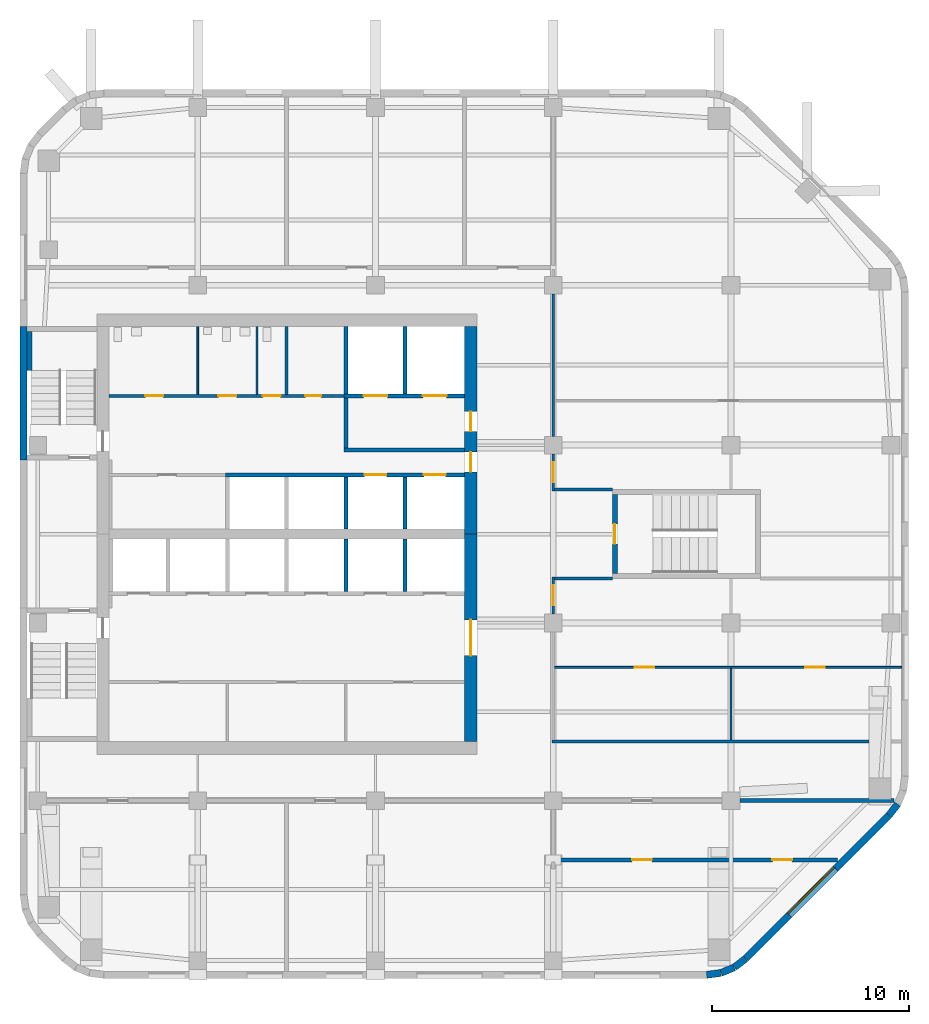
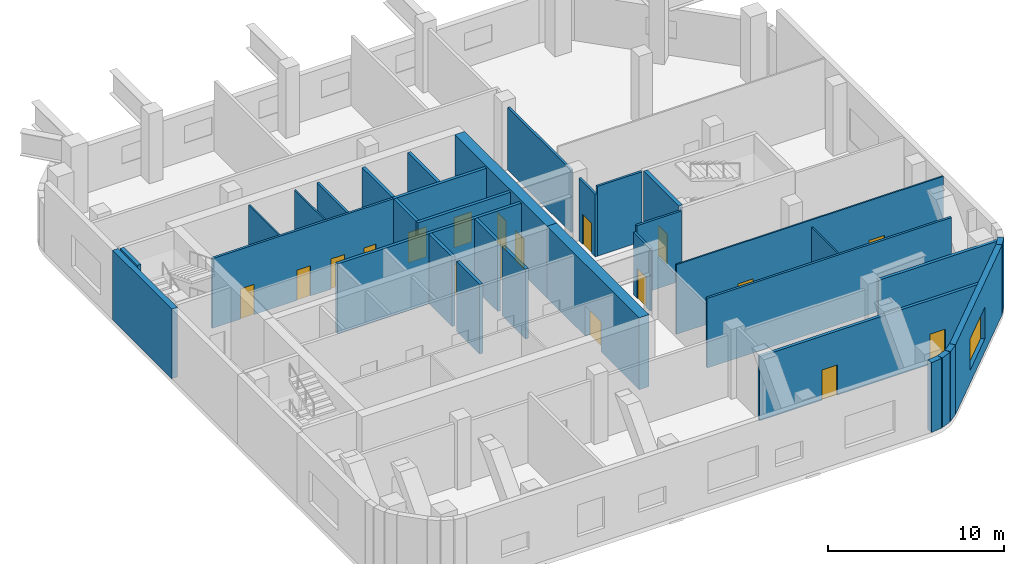
# One storey, part 4 of 8: 34 walls, 18 doors, 1 window, 19 openings.
"""IFC4 building model written with IfcOpenShell, lengths in metres."""

from ifc_helpers import new_model, si_unit, direction, frame, frame_2d, origin, place, context, subcontext, project, spatial, rectangle, extrude, material, layer, layer_set, type_object, element, fill, save


model = new_model("IFC4")

# Units and contexts
model_context = context("Model", 3, precision=1e-05, world=origin(), true_north=direction((0.0, 1.0)))
body_context = subcontext(model_context, "Body", "Model", "MODEL_VIEW")
ifc_project = project(units=[si_unit("LENGTHUNIT", "METRE"), si_unit("AREAUNIT", "SQUARE_METRE"), si_unit("VOLUMEUNIT", "CUBIC_METRE"), si_unit("PLANEANGLEUNIT", "RADIAN"), si_unit("MASSUNIT", "GRAM", prefix="KILO")], contexts=[model_context])

# Site, building, storey
site_placement = place(None, origin())
site = spatial("IfcSite", under=ifc_project, at=site_placement, CompositionType="ELEMENT")
building_placement = place(site_placement, origin())
building = spatial("IfcBuilding", under=site, at=building_placement, Name="Cinnabar Reach Civic Tower", CompositionType="ELEMENT")
storey_placement = place(building_placement, frame((0.0, 0.0, 193.0)))
storey = spatial("IfcBuildingStorey", under=building, at=storey_placement, Name="L46", CompositionType="ELEMENT", Elevation=193.0)

# Walls
ifc_material_1 = material(Name="Facing brick with insulated backing", Category="masonry")
ifc_layer_1 = layer(ifc_material_1, 0.36)
ifc_layer_set_1 = layer_set([ifc_layer_1], Name="Brick corner wall")
wall_type_1 = type_object("IfcWallType", Name="Brick corner wall", PredefinedType="STANDARD", material=ifc_layer_set_1)
for number, where, z_axis, x_axis, name in (
    (1, (34.7686, 9.183, 0.0), (0.0, 0.0, 1.0), (0.99144092581, 0.13055608231, 0.0), "Brick corner wall"),
    (2, (35.4973, 9.2819, 0.0), (0.0, 0.0, 1.0), (0.923871547278, 0.382702709855, 0.0), "Brick corner wall"),
):
    element("IfcWall", number, at=place(storey_placement, frame(where, z_axis=z_axis, x_axis=x_axis)), inside=storey, type_object=wall_type_1, Name=name, PredefinedType="STANDARD", context=body_context, shape_type="SweptSolid", body=[
        extrude(rectangle(XDim=0.7131, YDim=0.36, at=frame_2d((0.3565, 0.0))), origin(), (0.0, 0.0, 1.0), 4.85),
    ])
for number, where, z_axis, x_axis, name in (
    (3, (36.1755, 9.566, 0.0), (0.0, 0.0, 1.0), (0.793321924995, 0.608802368033, 0.0), "Brick corner wall"),
    (4, (43.9998, 17.2587, 0.0), (0.0, 0.0, 1.0), (0.608802368033, 0.793321924995, 0.0), "Brick corner wall"),
):
    element("IfcWall", number, at=place(storey_placement, frame(where, z_axis=z_axis, x_axis=x_axis)), inside=storey, type_object=wall_type_1, Name=name, PredefinedType="STANDARD", context=body_context, shape_type="SweptSolid", body=[
        extrude(rectangle(XDim=0.7132, YDim=0.36, at=frame_2d((0.3566, 0.0))), origin(), (0.0, 0.0, 1.0), 4.85),
    ])

# Wall, opening, window
ifc_layer_2 = layer(ifc_material_1, 0.36)
ifc_layer_set_2 = layer_set([ifc_layer_2], Name="Brick pier and spandrel wall")
wall_type_2 = type_object("IfcWallType", Name="Brick pier and spandrel wall", PredefinedType="STANDARD", material=ifc_layer_set_2)
wall_1_placement = place(storey_placement, frame((36.7514, 10.006, 0.0), z_axis=(0.0, 0.0, 1.0), x_axis=(0.707106781187, 0.707106781187, 0.0)))
wall_1 = element("IfcWall", 5, at=wall_1_placement, inside=storey, type_object=wall_type_2, Name="Brick facade wall", PredefinedType="STANDARD", context=body_context, shape_type="SweptSolid", body=[
    extrude(rectangle(XDim=10.2426, YDim=0.36, at=frame_2d((5.1213, 0.0))), origin(), (0.0, 0.0, 1.0), 4.85),
])
opening_1_placement = place(wall_1_placement, frame((3.1213, 0.0, 0.9)))
opening_1 = element("IfcOpeningElement", 6, at=opening_1_placement, cuts=wall_1, Name="Opening W1947", PredefinedType="OPENING", context=body_context, shape_type="SweptSolid", body=[
    extrude(rectangle(XDim=3.3, YDim=2.2, at=frame_2d((1.65, 1.1))), frame((0.0, 0.19, 0.0), z_axis=(0.0, -1.0, 0.0), x_axis=(1.0, 0.0, 0.0)), (0.0, 0.0, 1.0), 0.38),
])
ifc_material_2 = material(Name="Clear double glazing in aluminium frame", Category="aluminium")
window_type = type_object("IfcWindowType", Name="Deep-set window B", PartitioningType="SINGLE_PANEL", PredefinedType="WINDOW", material=ifc_material_2)
window_placement = place(opening_1_placement, origin())
window = element("IfcWindow", 7, at=window_placement, inside=storey, type_object=window_type, Name="Window southeast face", OverallHeight=2.2, OverallWidth=3.3, PartitioningType="SINGLE_PANEL", PredefinedType="WINDOW", context=body_context, shape_type="SweptSolid", body=[
    extrude(rectangle(XDim=3.3, YDim=2.2, at=frame_2d((1.65, 1.1))), frame((0.0, 0.13, 0.0), z_axis=(0.0, -1.0, 0.0), x_axis=(1.0, 0.0, 0.0)), (0.0, 0.0, 1.0), 0.06),
])
fill(opening_1, window)

# Wall
wall_2_placement = place(storey_placement, frame((0.18, 42.0, 0.0), z_axis=(0.0, 0.0, 1.0), x_axis=(0.0, -1.0, 0.0)))
element("IfcWall", 8, at=wall_2_placement, inside=storey, type_object=wall_type_2, Name="Brick facade wall", PredefinedType="STANDARD", context=body_context, shape_type="SweptSolid", body=[
    extrude(rectangle(XDim=6.75, YDim=0.36, at=frame_2d((3.375, 0.0))), origin(), (0.0, 0.0, 1.0), 4.85),
])

# Wall, opening, door
ifc_material_3 = material(Name="Concrete C70", Category="concrete")
ifc_layer_3 = layer(ifc_material_3, 0.65)
ifc_layer_set_3 = layer_set([ifc_layer_3], Name="Core wall 650 EI 180")
wall_type_3 = type_object("IfcWallType", Name="Core wall 650 EI 180", PredefinedType="SOLIDWALL", material=ifc_layer_set_3)
wall_3_placement = place(storey_placement, frame((22.825, 21.0, 0.0), z_axis=(0.0, 0.0, 1.0), x_axis=(0.0, 1.0, 0.0)))
wall_3 = element("IfcWall", 9, at=wall_3_placement, inside=storey, type_object=wall_type_3, Name="Core wall T1 L46 E", PredefinedType="SOLIDWALL", context=body_context, shape_type="SweptSolid", body=[
    extrude(rectangle(XDim=10.5, YDim=0.65, at=frame_2d((5.25, 0.0))), origin(), (0.0, 0.0, 1.0), 5.0),
])
opening_2_placement = place(wall_3_placement, frame((4.35, 0.0, 0.0)))
opening_2 = element("IfcOpeningElement", 10, at=opening_2_placement, cuts=wall_3, Name="Opening D4886", PredefinedType="OPENING", context=body_context, shape_type="SweptSolid", body=[
    extrude(rectangle(XDim=1.8, YDim=2.1, at=frame_2d((0.9, 1.05))), frame((0.0, 0.335, 0.0), z_axis=(0.0, -1.0, 0.0), x_axis=(1.0, 0.0, 0.0)), (0.0, 0.0, 1.0), 0.67),
])
ifc_material_4 = material(Name="Timber door leaf in steel frame", Category="steel")
door_type_1 = type_object("IfcDoorType", Name="Double swing door 1800 x 2100 T1", OperationType="DOUBLE_DOOR_DOUBLE_SWING", PredefinedType="DOOR", material=ifc_material_4)
door_1_placement = place(opening_2_placement, origin())
door_1 = element("IfcDoor", 11, at=door_1_placement, inside=storey, type_object=door_type_1, Name="Door D4886", OperationType="DOUBLE_DOOR_DOUBLE_SWING", OverallHeight=2.1, OverallWidth=1.8, PredefinedType="DOOR", context=body_context, shape_type="SweptSolid", body=[
    extrude(rectangle(XDim=1.8, YDim=2.1, at=frame_2d((0.9, 1.05))), frame((0.0, 0.025, 0.0), z_axis=(0.0, -1.0, 0.0), x_axis=(1.0, 0.0, 0.0)), (0.0, 0.0, 1.0), 0.05),
])
fill(opening_2, door_1)

# Wall, openings, doors
wall_4_placement = place(storey_placement, frame((22.825, 31.5, 0.0), z_axis=(0.0, 0.0, 1.0), x_axis=(0.0, 1.0, 0.0)))
wall_4 = element("IfcWall", 12, at=wall_4_placement, inside=storey, type_object=wall_type_3, Name="Core wall T1 L46 E2", PredefinedType="SOLIDWALL", context=body_context, shape_type="SweptSolid", body=[
    extrude(rectangle(XDim=10.5, YDim=0.65, at=frame_2d((5.25, 0.0))), origin(), (0.0, 0.0, 1.0), 5.0),
])
opening_3_placement = place(wall_4_placement, frame((3.15, 0.0, 0.0)))
opening_3 = element("IfcOpeningElement", 13, at=opening_3_placement, cuts=wall_4, Name="Opening D4887", PredefinedType="OPENING", context=body_context, shape_type="SweptSolid", body=[
    extrude(rectangle(XDim=1.0, YDim=2.1, at=frame_2d((0.5, 1.05))), frame((0.0, 0.335, 0.0), z_axis=(0.0, -1.0, 0.0), x_axis=(1.0, 0.0, 0.0)), (0.0, 0.0, 1.0), 0.67),
])
opening_4_placement = place(wall_4_placement, frame((5.2, 0.0, 0.0)))
opening_4 = element("IfcOpeningElement", 14, at=opening_4_placement, cuts=wall_4, Name="Opening D4888", PredefinedType="OPENING", context=body_context, shape_type="SweptSolid", body=[
    extrude(rectangle(XDim=1.0, YDim=2.1, at=frame_2d((0.5, 1.05))), frame((0.0, 0.335, 0.0), z_axis=(0.0, -1.0, 0.0), x_axis=(1.0, 0.0, 0.0)), (0.0, 0.0, 1.0), 0.67),
])
door_type_2 = type_object("IfcDoorType", Name="Firefighting lobby door 1000 x 2100 T1", OperationType="SINGLE_SWING_LEFT", PredefinedType="DOOR", material=ifc_material_4)
door_2_placement = place(opening_4_placement, origin())
door_2 = element("IfcDoor", 15, at=door_2_placement, inside=storey, type_object=door_type_2, Name="Door D4888", OperationType="SINGLE_SWING_LEFT", OverallHeight=2.1, OverallWidth=1.0, PredefinedType="DOOR", context=body_context, shape_type="SweptSolid", body=[
    extrude(rectangle(XDim=1.0, YDim=2.1, at=frame_2d((0.5, 1.05))), frame((0.0, 0.025, 0.0), z_axis=(0.0, -1.0, 0.0), x_axis=(1.0, 0.0, 0.0)), (0.0, 0.0, 1.0), 0.05),
])
fill(opening_4, door_2)
door_type_3 = type_object("IfcDoorType", Name="Single swing door 1000 x 2100 T1", OperationType="SINGLE_SWING_LEFT", PredefinedType="DOOR", material=ifc_material_4)
door_3_placement = place(opening_3_placement, origin())
door_3 = element("IfcDoor", 16, at=door_3_placement, inside=storey, type_object=door_type_3, Name="Door D4887", OperationType="SINGLE_SWING_RIGHT", OverallHeight=2.1, OverallWidth=1.0, PredefinedType="DOOR", context=body_context, shape_type="SweptSolid", body=[
    extrude(rectangle(XDim=1.0, YDim=2.1, at=frame_2d((0.5, 1.05))), frame((0.0, 0.025, 0.0), z_axis=(0.0, -1.0, 0.0), x_axis=(1.0, 0.0, 0.0)), (0.0, 0.0, 1.0), 0.05),
])
fill(opening_3, door_3)

# Wall
ifc_material_5 = material(Name="Gypsum board on steel studs, double layer", Category="steel")
ifc_layer_4 = layer(ifc_material_5, 0.15)
ifc_layer_set_4 = layer_set([ifc_layer_4], Name="Corridor wall 150 T1")
wall_type_4 = type_object("IfcWallType", Name="Corridor wall 150 T1", PredefinedType="PARTITIONING", material=ifc_layer_set_4)
wall_5_placement = place(storey_placement, frame((26.925, 21.0, 0.0), z_axis=(0.0, 0.0, 1.0), x_axis=(1.0, 0.0, 0.0)))
element("IfcWall", 17, at=wall_5_placement, inside=storey, type_object=wall_type_4, Name="Corridor wall 32", PredefinedType="PARTITIONING", context=body_context, shape_type="SweptSolid", body=[
    extrude(rectangle(XDim=16.0719, YDim=0.15, at=frame_2d((8.0359, 0.0))), origin(), (0.0, 0.0, 1.0), 4.85),
])

# Wall, openings, doors
wall_6_placement = place(storey_placement, frame((4.5, 38.5, 0.0), z_axis=(0.0, 0.0, 1.0), x_axis=(1.0, 0.0, 0.0)))
wall_6 = element("IfcWall", 18, at=wall_6_placement, inside=storey, type_object=wall_type_4, Name="Corridor wall 34", PredefinedType="PARTITIONING", context=body_context, shape_type="SweptSolid", body=[
    extrude(rectangle(XDim=11.9, YDim=0.15, at=frame_2d((5.95, 0.0))), origin(), (0.0, 0.0, 1.0), 4.85),
])
opening_5_placement = place(wall_6_placement, frame((1.85, 0.0, 0.0)))
opening_5 = element("IfcOpeningElement", 19, at=opening_5_placement, cuts=wall_6, Name="Opening D4894", PredefinedType="OPENING", context=body_context, shape_type="SweptSolid", body=[
    extrude(rectangle(XDim=0.9, YDim=2.1, at=frame_2d((0.45, 1.05))), frame((0.0, 0.085, 0.0), z_axis=(0.0, -1.0, 0.0), x_axis=(1.0, 0.0, 0.0)), (0.0, 0.0, 1.0), 0.17),
])
opening_6_placement = place(wall_6_placement, frame((5.55, 0.0, 0.0)))
opening_6 = element("IfcOpeningElement", 20, at=opening_6_placement, cuts=wall_6, Name="Opening D4895", PredefinedType="OPENING", context=body_context, shape_type="SweptSolid", body=[
    extrude(rectangle(XDim=0.9, YDim=2.1, at=frame_2d((0.45, 1.05))), frame((0.0, 0.085, 0.0), z_axis=(0.0, -1.0, 0.0), x_axis=(1.0, 0.0, 0.0)), (0.0, 0.0, 1.0), 0.17),
])
opening_7_placement = place(wall_6_placement, frame((7.8, 0.0, 0.0)))
opening_7 = element("IfcOpeningElement", 21, at=opening_7_placement, cuts=wall_6, Name="Opening D4896", PredefinedType="OPENING", context=body_context, shape_type="SweptSolid", body=[
    extrude(rectangle(XDim=0.9, YDim=2.1, at=frame_2d((0.45, 1.05))), frame((0.0, 0.085, 0.0), z_axis=(0.0, -1.0, 0.0), x_axis=(1.0, 0.0, 0.0)), (0.0, 0.0, 1.0), 0.17),
])
opening_8_placement = place(wall_6_placement, frame((9.95, 0.0, 0.0)))
opening_8 = element("IfcOpeningElement", 22, at=opening_8_placement, cuts=wall_6, Name="Opening D4897", PredefinedType="OPENING", context=body_context, shape_type="SweptSolid", body=[
    extrude(rectangle(XDim=0.8, YDim=2.1, at=frame_2d((0.4, 1.05))), frame((0.0, 0.085, 0.0), z_axis=(0.0, -1.0, 0.0), x_axis=(1.0, 0.0, 0.0)), (0.0, 0.0, 1.0), 0.17),
])
door_type_4 = type_object("IfcDoorType", Name="Riser access door 800 x 2100 T1", OperationType="SINGLE_SWING_LEFT", PredefinedType="DOOR", material=ifc_material_4)
door_4_placement = place(opening_8_placement, origin())
door_4 = element("IfcDoor", 23, at=door_4_placement, inside=storey, type_object=door_type_4, Name="Door D4897", OperationType="SINGLE_SWING_LEFT", OverallHeight=2.1, OverallWidth=0.8, PredefinedType="DOOR", context=body_context, shape_type="SweptSolid", body=[
    extrude(rectangle(XDim=0.8, YDim=2.1, at=frame_2d((0.4, 1.05))), frame((0.0, 0.025, 0.0), z_axis=(0.0, -1.0, 0.0), x_axis=(1.0, 0.0, 0.0)), (0.0, 0.0, 1.0), 0.05),
])
fill(opening_8, door_4)
door_type_5 = type_object("IfcDoorType", Name="Single swing door 900 x 2100 corridor T1", OperationType="SINGLE_SWING_LEFT", PredefinedType="DOOR", material=ifc_material_4)
door_5_placement = place(opening_5_placement, origin())
door_5 = element("IfcDoor", 24, at=door_5_placement, inside=storey, type_object=door_type_5, Name="Door D4894", OperationType="SINGLE_SWING_LEFT", OverallHeight=2.1, OverallWidth=0.9, PredefinedType="DOOR", context=body_context, shape_type="SweptSolid", body=[
    extrude(rectangle(XDim=0.9, YDim=2.1, at=frame_2d((0.45, 1.05))), frame((0.0, 0.025, 0.0), z_axis=(0.0, -1.0, 0.0), x_axis=(1.0, 0.0, 0.0)), (0.0, 0.0, 1.0), 0.05),
])
fill(opening_5, door_5)
door_6_placement = place(opening_6_placement, origin())
door_6 = element("IfcDoor", 25, at=door_6_placement, inside=storey, type_object=door_type_5, Name="Door D4895", OperationType="SINGLE_SWING_RIGHT", OverallHeight=2.1, OverallWidth=0.9, PredefinedType="DOOR", context=body_context, shape_type="SweptSolid", body=[
    extrude(rectangle(XDim=0.9, YDim=2.1, at=frame_2d((0.45, 1.05))), frame((0.0, 0.025, 0.0), z_axis=(0.0, -1.0, 0.0), x_axis=(1.0, 0.0, 0.0)), (0.0, 0.0, 1.0), 0.05),
])
fill(opening_6, door_6)
door_7_placement = place(opening_7_placement, origin())
door_7 = element("IfcDoor", 26, at=door_7_placement, inside=storey, type_object=door_type_5, Name="Door D4896", OperationType="SINGLE_SWING_RIGHT", OverallHeight=2.1, OverallWidth=0.9, PredefinedType="DOOR", context=body_context, shape_type="SweptSolid", body=[
    extrude(rectangle(XDim=0.9, YDim=2.1, at=frame_2d((0.45, 1.05))), frame((0.0, 0.025, 0.0), z_axis=(0.0, -1.0, 0.0), x_axis=(1.0, 0.0, 0.0)), (0.0, 0.0, 1.0), 0.05),
])
fill(opening_7, door_7)

# Wall, opening, door
wall_7_placement = place(storey_placement, frame((27.0, 33.675, 0.0), z_axis=(0.0, 0.0, 1.0), x_axis=(0.0, 1.0, 0.0)))
wall_7 = element("IfcWall", 27, at=wall_7_placement, inside=storey, type_object=wall_type_4, Name="Corridor wall 35", PredefinedType="PARTITIONING", context=body_context, shape_type="SweptSolid", body=[
    extrude(rectangle(XDim=1.875, YDim=0.15, at=frame_2d((0.9375, 0.0))), origin(), (0.0, 0.0, 1.0), 4.35),
])
opening_9_placement = place(wall_7_placement, frame((0.45, 0.0, 0.0)))
opening_9 = element("IfcOpeningElement", 28, at=opening_9_placement, cuts=wall_7, Name="Opening D4898", PredefinedType="OPENING", context=body_context, shape_type="SweptSolid", body=[
    extrude(rectangle(XDim=1.0, YDim=2.1, at=frame_2d((0.5, 1.05))), frame((0.0, 0.085, 0.0), z_axis=(0.0, -1.0, 0.0), x_axis=(1.0, 0.0, 0.0)), (0.0, 0.0, 1.0), 0.17),
])
door_type_6 = type_object("IfcDoorType", Name="Plant room door 1000 x 2100 T1", OperationType="SINGLE_SWING_LEFT", PredefinedType="DOOR", material=ifc_material_4)
door_8_placement = place(opening_9_placement, frame((1.0, 0.0, 0.0), z_axis=(0.0, 0.0, 1.0), x_axis=(-1.0, 0.0, 0.0)))
door_8 = element("IfcDoor", 29, at=door_8_placement, inside=storey, type_object=door_type_6, Name="Door D4898", OperationType="SINGLE_SWING_RIGHT", OverallHeight=2.1, OverallWidth=1.0, PredefinedType="DOOR", context=body_context, shape_type="SweptSolid", body=[
    extrude(rectangle(XDim=1.0, YDim=2.1, at=frame_2d((0.5, 1.05))), frame((0.0, 0.025, 0.0), z_axis=(0.0, -1.0, 0.0), x_axis=(1.0, 0.0, 0.0)), (0.0, 0.0, 1.0), 0.05),
])
fill(opening_9, door_8)

# Wall
wall_8_placement = place(storey_placement, frame((27.0, 36.45, 0.0), z_axis=(0.0, 0.0, 1.0), x_axis=(0.0, 1.0, 0.0)))
element("IfcWall", 30, at=wall_8_placement, inside=storey, type_object=wall_type_4, Name="Corridor wall 36", PredefinedType="PARTITIONING", context=body_context, shape_type="SweptSolid", body=[
    extrude(rectangle(XDim=7.2, YDim=0.15, at=frame_2d((3.6, 0.0))), origin(), (0.0, 0.0, 1.0), 4.35),
])

# Wall, opening, door
wall_9_placement = place(storey_placement, frame((27.0, 27.45, 0.0), z_axis=(0.0, 0.0, 1.0), x_axis=(0.0, 1.0, 0.0)))
wall_9 = element("IfcWall", 31, at=wall_9_placement, inside=storey, type_object=wall_type_4, Name="Corridor wall 39", PredefinedType="PARTITIONING", context=body_context, shape_type="SweptSolid", body=[
    extrude(rectangle(XDim=1.875, YDim=0.15, at=frame_2d((0.9375, 0.0))), origin(), (0.0, 0.0, 1.0), 4.35),
])
opening_10_placement = place(wall_9_placement, frame((0.45, 0.0, 0.0)))
opening_10 = element("IfcOpeningElement", 32, at=opening_10_placement, cuts=wall_9, Name="Opening D4900", PredefinedType="OPENING", context=body_context, shape_type="SweptSolid", body=[
    extrude(rectangle(XDim=1.0, YDim=2.1, at=frame_2d((0.5, 1.05))), frame((0.0, 0.085, 0.0), z_axis=(0.0, -1.0, 0.0), x_axis=(1.0, 0.0, 0.0)), (0.0, 0.0, 1.0), 0.17),
])
door_9_placement = place(opening_10_placement, frame((1.0, 0.0, 0.0), z_axis=(0.0, 0.0, 1.0), x_axis=(-1.0, 0.0, 0.0)))
door_9 = element("IfcDoor", 33, at=door_9_placement, inside=storey, type_object=door_type_6, Name="Door D4900", OperationType="SINGLE_SWING_LEFT", OverallHeight=2.1, OverallWidth=1.0, PredefinedType="DOOR", context=body_context, shape_type="SweptSolid", body=[
    extrude(rectangle(XDim=1.0, YDim=2.1, at=frame_2d((0.5, 1.05))), frame((0.0, 0.025, 0.0), z_axis=(0.0, -1.0, 0.0), x_axis=(1.0, 0.0, 0.0)), (0.0, 0.0, 1.0), 0.05),
])
fill(opening_10, door_9)

# Walls
for number, where, z_axis, x_axis, name in (
    (34, (27.075, 29.25, 0.0), (0.0, 0.0, 1.0), (1.0, 0.0, 0.0), "Corridor wall 43"),
    (35, (27.075, 33.75, 0.0), (0.0, 0.0, 1.0), (1.0, 0.0, 0.0), "Corridor wall 44"),
):
    element("IfcWall", number, at=place(storey_placement, frame(where, z_axis=z_axis, x_axis=x_axis)), inside=storey, type_object=wall_type_4, Name=name, PredefinedType="PARTITIONING", context=body_context, shape_type="SweptSolid", body=[
        extrude(rectangle(XDim=2.925, YDim=0.15, at=frame_2d((1.4625, 0.0))), origin(), (0.0, 0.0, 1.0), 4.85),
    ])

# Wall, openings, doors
ifc_material_6 = material(Name="Blockwork", Category="masonry")
ifc_layer_5 = layer(ifc_material_6, 0.2)
ifc_layer_set_5 = layer_set([ifc_layer_5], Name="Lift shaft wall 200 T1")
wall_type_5 = type_object("IfcWallType", Name="Lift shaft wall 200 T1", PredefinedType="PARTITIONING", material=ifc_layer_set_5)
wall_10_placement = place(storey_placement, frame((10.4, 34.5, 0.0), z_axis=(0.0, 0.0, 1.0), x_axis=(1.0, 0.0, 0.0)))
wall_10 = element("IfcWall", 36, at=wall_10_placement, inside=storey, type_object=wall_type_5, Name="Lift shaft wall 18", PredefinedType="PARTITIONING", context=body_context, shape_type="SweptSolid", body=[
    extrude(rectangle(XDim=12.1, YDim=0.2, at=frame_2d((6.05, 0.0))), origin(), (0.0, 0.0, 1.0), 4.85),
])
opening_11_placement = place(wall_10_placement, frame((7.05, 0.0, 0.0)))
opening_11 = element("IfcOpeningElement", 37, at=opening_11_placement, cuts=wall_10, Name="Opening D4882", PredefinedType="OPENING", context=body_context, shape_type="SweptSolid", body=[
    extrude(rectangle(XDim=1.1, YDim=2.1, at=frame_2d((0.55, 1.05))), frame((0.0, 0.11, 0.0), z_axis=(0.0, -1.0, 0.0), x_axis=(1.0, 0.0, 0.0)), (0.0, 0.0, 1.0), 0.22),
])
opening_12_placement = place(wall_10_placement, frame((10.05, 0.0, 0.0)))
opening_12 = element("IfcOpeningElement", 38, at=opening_12_placement, cuts=wall_10, Name="Opening D4883", PredefinedType="OPENING", context=body_context, shape_type="SweptSolid", body=[
    extrude(rectangle(XDim=1.1, YDim=2.1, at=frame_2d((0.55, 1.05))), frame((0.0, 0.11, 0.0), z_axis=(0.0, -1.0, 0.0), x_axis=(1.0, 0.0, 0.0)), (0.0, 0.0, 1.0), 0.22),
])
ifc_material_7 = material(Name="Stainless steel sliding door", Category="steel")
door_type_7 = type_object("IfcDoorType", Name="Lift landing door 1100 x 2100 T1", OperationType="SLIDING_TO_LEFT", PredefinedType="DOOR", material=ifc_material_7)
door_10_placement = place(opening_11_placement, origin())
door_10 = element("IfcDoor", 39, at=door_10_placement, inside=storey, type_object=door_type_7, Name="Lift landing door SV1 L46", OperationType="SLIDING_TO_LEFT", OverallHeight=2.1, OverallWidth=1.1, PredefinedType="DOOR", context=body_context, shape_type="SweptSolid", body=[
    extrude(rectangle(XDim=1.1, YDim=2.1, at=frame_2d((0.55, 1.05))), frame((0.0, 0.025, 0.0), z_axis=(0.0, -1.0, 0.0), x_axis=(1.0, 0.0, 0.0)), (0.0, 0.0, 1.0), 0.05),
])
fill(opening_11, door_10)
door_11_placement = place(opening_12_placement, origin())
door_11 = element("IfcDoor", 40, at=door_11_placement, inside=storey, type_object=door_type_7, Name="Lift landing door SV2 L46", OperationType="SLIDING_TO_LEFT", OverallHeight=2.1, OverallWidth=1.1, PredefinedType="DOOR", context=body_context, shape_type="SweptSolid", body=[
    extrude(rectangle(XDim=1.1, YDim=2.1, at=frame_2d((0.55, 1.05))), frame((0.0, 0.025, 0.0), z_axis=(0.0, -1.0, 0.0), x_axis=(1.0, 0.0, 0.0)), (0.0, 0.0, 1.0), 0.05),
])
fill(opening_12, door_11)

# Walls
for number, where, z_axis, x_axis, name in (
    (41, (16.5, 28.6, 0.0), (0.0, 0.0, 1.0), (0.0, 1.0, 0.0), "Lift shaft wall 23"),
    (42, (16.5, 31.75, 0.0), (0.0, 0.0, 1.0), (0.0, 1.0, 0.0), "Lift shaft wall 24"),
    (43, (19.5, 28.6, 0.0), (0.0, 0.0, 1.0), (0.0, 1.0, 0.0), "Lift shaft wall 25"),
    (44, (19.5, 31.75, 0.0), (0.0, 0.0, 1.0), (0.0, 1.0, 0.0), "Lift shaft wall 26"),
):
    element("IfcWall", number, at=place(storey_placement, frame(where, z_axis=z_axis, x_axis=x_axis)), inside=storey, type_object=wall_type_5, Name=name, PredefinedType="PARTITIONING", context=body_context, shape_type="SweptSolid", body=[
        extrude(rectangle(XDim=2.65, YDim=0.2, at=frame_2d((1.325, 0.0))), origin(), (0.0, 0.0, 1.0), 4.85),
    ])
for number, where, z_axis, x_axis, name in (
    (45, (16.5, 38.6, 0.0), (0.0, 0.0, 1.0), (0.0, 1.0, 0.0), "Lift shaft wall 27"),
    (46, (19.5, 38.6, 0.0), (0.0, 0.0, 1.0), (0.0, 1.0, 0.0), "Lift shaft wall 28"),
):
    element("IfcWall", number, at=place(storey_placement, frame(where, z_axis=z_axis, x_axis=x_axis)), inside=storey, type_object=wall_type_5, Name=name, PredefinedType="PARTITIONING", context=body_context, shape_type="SweptSolid", body=[
        extrude(rectangle(XDim=3.4, YDim=0.2, at=frame_2d((1.7, 0.0))), origin(), (0.0, 0.0, 1.0), 4.85),
    ])

# Wall, openings, doors
ifc_material_8 = material(Name="Gypsum board on steel studs", Category="steel")
ifc_layer_6 = layer(ifc_material_8, 0.1)
ifc_layer_set_6 = layer_set([ifc_layer_6], Name="Partition wall 100 T1")
wall_type_6 = type_object("IfcWallType", Name="Partition wall 100 T1", PredefinedType="PARTITIONING", material=ifc_layer_set_6)
wall_11_placement = place(storey_placement, frame((27.075, 24.75, 0.0), z_axis=(0.0, 0.0, 1.0), x_axis=(1.0, 0.0, 0.0)))
wall_11 = element("IfcWall", 47, at=wall_11_placement, inside=storey, type_object=wall_type_6, Name="Partition wall 48", PredefinedType="PARTITIONING", context=body_context, shape_type="SweptSolid", body=[
    extrude(rectangle(XDim=17.565, YDim=0.1, at=frame_2d((8.7825, 0.0))), origin(), (0.0, 0.0, 1.0), 4.85),
])
opening_13_placement = place(wall_11_placement, frame((4.05, 0.0, 0.0)))
opening_13 = element("IfcOpeningElement", 48, at=opening_13_placement, cuts=wall_11, Name="Opening D4901", PredefinedType="OPENING", context=body_context, shape_type="SweptSolid", body=[
    extrude(rectangle(XDim=1.0, YDim=2.1, at=frame_2d((0.5, 1.05))), frame((0.0, 0.06, 0.0), z_axis=(0.0, -1.0, 0.0), x_axis=(1.0, 0.0, 0.0)), (0.0, 0.0, 1.0), 0.12),
])
opening_14_placement = place(wall_11_placement, frame((12.675, 0.0, 0.0)))
opening_14 = element("IfcOpeningElement", 49, at=opening_14_placement, cuts=wall_11, Name="Opening D4902", PredefinedType="OPENING", context=body_context, shape_type="SweptSolid", body=[
    extrude(rectangle(XDim=1.0, YDim=2.1, at=frame_2d((0.5, 1.05))), frame((0.0, 0.06, 0.0), z_axis=(0.0, -1.0, 0.0), x_axis=(1.0, 0.0, 0.0)), (0.0, 0.0, 1.0), 0.12),
])
door_12_placement = place(opening_13_placement, origin())
door_12 = element("IfcDoor", 50, at=door_12_placement, inside=storey, type_object=door_type_6, Name="Door D4901", OperationType="SINGLE_SWING_LEFT", OverallHeight=2.1, OverallWidth=1.0, PredefinedType="DOOR", context=body_context, shape_type="SweptSolid", body=[
    extrude(rectangle(XDim=1.0, YDim=2.1, at=frame_2d((0.5, 1.05))), frame((0.0, 0.025, 0.0), z_axis=(0.0, -1.0, 0.0), x_axis=(1.0, 0.0, 0.0)), (0.0, 0.0, 1.0), 0.05),
])
fill(opening_13, door_12)
door_13_placement = place(opening_14_placement, origin())
door_13 = element("IfcDoor", 51, at=door_13_placement, inside=storey, type_object=door_type_6, Name="Door D4902", OperationType="SINGLE_SWING_LEFT", OverallHeight=2.1, OverallWidth=1.0, PredefinedType="DOOR", context=body_context, shape_type="SweptSolid", body=[
    extrude(rectangle(XDim=1.0, YDim=2.1, at=frame_2d((0.5, 1.05))), frame((0.0, 0.025, 0.0), z_axis=(0.0, -1.0, 0.0), x_axis=(1.0, 0.0, 0.0)), (0.0, 0.0, 1.0), 0.05),
])
fill(opening_14, door_13)

# Walls
wall_12_placement = place(storey_placement, frame((36.0, 21.075, 0.0), z_axis=(0.0, 0.0, 1.0), x_axis=(0.0, 1.0, 0.0)))
element("IfcWall", 52, at=wall_12_placement, inside=storey, type_object=wall_type_6, Name="Partition wall 50", PredefinedType="PARTITIONING", context=body_context, shape_type="SweptSolid", body=[
    extrude(rectangle(XDim=3.625, YDim=0.1, at=frame_2d((1.8125, 0.0))), origin(), (0.0, 0.0, 1.0), 4.35),
])
for number, where, z_axis, x_axis, name in (
    (53, (9.0, 38.575, 0.0), (0.0, 0.0, 1.0), (0.0, 1.0, 0.0), "Partition wall 51"),
    (54, (12.0, 38.575, 0.0), (0.0, 0.0, 1.0), (0.0, 1.0, 0.0), "Partition wall 52"),
):
    element("IfcWall", number, at=place(storey_placement, frame(where, z_axis=z_axis, x_axis=x_axis)), inside=storey, type_object=wall_type_6, Name=name, PredefinedType="PARTITIONING", context=body_context, shape_type="SweptSolid", body=[
        extrude(rectangle(XDim=3.425, YDim=0.1, at=frame_2d((1.7125, 0.0))), origin(), (0.0, 0.0, 1.0), 4.85),
    ])
ifc_material_9 = material(Name="Concrete C40", Category="concrete")
ifc_layer_7 = layer(ifc_material_9, 0.2)
ifc_layer_set_7 = layer_set([ifc_layer_7], Name="Refuge compartment wall 200 T1")
wall_type_7 = type_object("IfcWallType", Name="Refuge compartment wall 200 T1", PredefinedType="PARTITIONING", material=ifc_layer_set_7)
wall_13_placement = place(storey_placement, frame((36.45, 18.0, 0.0), z_axis=(0.0, 0.0, 1.0), x_axis=(1.0, 0.0, 0.0)))
element("IfcWall", 55, at=wall_13_placement, inside=storey, type_object=wall_type_7, Name="Refuge compartment wall 5", PredefinedType="PARTITIONING", context=body_context, shape_type="SweptSolid", body=[
    extrude(rectangle(XDim=7.8151, YDim=0.2, at=frame_2d((3.9076, 0.0))), origin(), (0.0, 0.0, 1.0), 4.602),
])

# Wall, openings, doors
wall_14_placement = place(storey_placement, frame((26.9, 15.0, 0.0), z_axis=(0.0, 0.0, 1.0), x_axis=(1.0, 0.0, 0.0)))
wall_14 = element("IfcWall", 56, at=wall_14_placement, inside=storey, type_object=wall_type_7, Name="Refuge compartment wall 7", PredefinedType="PARTITIONING", context=body_context, shape_type="SweptSolid", body=[
    extrude(rectangle(XDim=14.491, YDim=0.2, at=frame_2d((7.2455, 0.0))), origin(), (0.0, 0.0, 1.0), 4.46),
])
opening_15_placement = place(wall_14_placement, frame((4.1, 0.0, 0.0)))
opening_15 = element("IfcOpeningElement", 57, at=opening_15_placement, cuts=wall_14, Name="Opening D4906", PredefinedType="OPENING", context=body_context, shape_type="SweptSolid", body=[
    extrude(rectangle(XDim=1.0, YDim=2.1, at=frame_2d((0.5, 1.05))), frame((0.0, 0.11, 0.0), z_axis=(0.0, -1.0, 0.0), x_axis=(1.0, 0.0, 0.0)), (0.0, 0.0, 1.0), 0.22),
])
opening_16_placement = place(wall_14_placement, frame((11.2, 0.0, 0.0)))
opening_16 = element("IfcOpeningElement", 58, at=opening_16_placement, cuts=wall_14, Name="Opening D4907", PredefinedType="OPENING", context=body_context, shape_type="SweptSolid", body=[
    extrude(rectangle(XDim=1.0, YDim=2.1, at=frame_2d((0.5, 1.05))), frame((0.0, 0.11, 0.0), z_axis=(0.0, -1.0, 0.0), x_axis=(1.0, 0.0, 0.0)), (0.0, 0.0, 1.0), 0.22),
])
door_type_8 = type_object("IfcDoorType", Name="Refuge door 1000 x 2100 T1", OperationType="SINGLE_SWING_LEFT", PredefinedType="DOOR", material=ifc_material_4)
door_14_placement = place(opening_15_placement, origin())
door_14 = element("IfcDoor", 59, at=door_14_placement, inside=storey, type_object=door_type_8, Name="Door D4906", OperationType="SINGLE_SWING_RIGHT", OverallHeight=2.1, OverallWidth=1.0, PredefinedType="DOOR", context=body_context, shape_type="SweptSolid", body=[
    extrude(rectangle(XDim=1.0, YDim=2.1, at=frame_2d((0.5, 1.05))), frame((0.0, 0.025, 0.0), z_axis=(0.0, -1.0, 0.0), x_axis=(1.0, 0.0, 0.0)), (0.0, 0.0, 1.0), 0.05),
])
fill(opening_15, door_14)
door_15_placement = place(opening_16_placement, origin())
door_15 = element("IfcDoor", 60, at=door_15_placement, inside=storey, type_object=door_type_8, Name="Door D4907", OperationType="SINGLE_SWING_RIGHT", OverallHeight=2.1, OverallWidth=1.0, PredefinedType="DOOR", context=body_context, shape_type="SweptSolid", body=[
    extrude(rectangle(XDim=1.0, YDim=2.1, at=frame_2d((0.5, 1.05))), frame((0.0, 0.025, 0.0), z_axis=(0.0, -1.0, 0.0), x_axis=(1.0, 0.0, 0.0)), (0.0, 0.0, 1.0), 0.05),
])
fill(opening_16, door_15)

# Wall
wall_15_placement = place(storey_placement, frame((16.4, 35.75, 0.0), z_axis=(0.0, 0.0, 1.0), x_axis=(1.0, 0.0, 0.0)))
element("IfcWall", 61, at=wall_15_placement, inside=storey, type_object=wall_type_7, Name="Refuge compartment wall 14", PredefinedType="PARTITIONING", context=body_context, shape_type="SweptSolid", body=[
    extrude(rectangle(XDim=6.1, YDim=0.2, at=frame_2d((3.05, 0.0))), origin(), (0.0, 0.0, 1.0), 4.85),
])

# Wall, openings, doors
wall_16_placement = place(storey_placement, frame((16.4, 38.5, 0.0), z_axis=(0.0, 0.0, 1.0), x_axis=(1.0, 0.0, 0.0)))
wall_16 = element("IfcWall", 62, at=wall_16_placement, inside=storey, type_object=wall_type_7, Name="Refuge compartment wall 15", PredefinedType="PARTITIONING", context=body_context, shape_type="SweptSolid", body=[
    extrude(rectangle(XDim=6.1, YDim=0.2, at=frame_2d((3.05, 0.0))), origin(), (0.0, 0.0, 1.0), 4.85),
])
opening_17_placement = place(wall_16_placement, frame((1.0, 0.0, 0.0)))
opening_17 = element("IfcOpeningElement", 63, at=opening_17_placement, cuts=wall_16, Name="Opening D4884", PredefinedType="OPENING", context=body_context, shape_type="SweptSolid", body=[
    extrude(rectangle(XDim=1.2, YDim=2.1, at=frame_2d((0.6, 1.05))), frame((0.0, 0.11, 0.0), z_axis=(0.0, -1.0, 0.0), x_axis=(1.0, 0.0, 0.0)), (0.0, 0.0, 1.0), 0.22),
])
opening_18_placement = place(wall_16_placement, frame((4.0, 0.0, 0.0)))
opening_18 = element("IfcOpeningElement", 64, at=opening_18_placement, cuts=wall_16, Name="Opening D4885", PredefinedType="OPENING", context=body_context, shape_type="SweptSolid", body=[
    extrude(rectangle(XDim=1.2, YDim=2.1, at=frame_2d((0.6, 1.05))), frame((0.0, 0.11, 0.0), z_axis=(0.0, -1.0, 0.0), x_axis=(1.0, 0.0, 0.0)), (0.0, 0.0, 1.0), 0.22),
])
door_type_9 = type_object("IfcDoorType", Name="Firefighting lift landing door 1200 x 2100 T1", OperationType="SLIDING_TO_LEFT", PredefinedType="DOOR", material=ifc_material_7)
door_16_placement = place(opening_17_placement, origin())
door_16 = element("IfcDoor", 65, at=door_16_placement, inside=storey, type_object=door_type_9, Name="Lift landing door FF1 L46", OperationType="SLIDING_TO_LEFT", OverallHeight=2.1, OverallWidth=1.2, PredefinedType="DOOR", context=body_context, shape_type="SweptSolid", body=[
    extrude(rectangle(XDim=1.2, YDim=2.1, at=frame_2d((0.6, 1.05))), frame((0.0, 0.025, 0.0), z_axis=(0.0, -1.0, 0.0), x_axis=(1.0, 0.0, 0.0)), (0.0, 0.0, 1.0), 0.05),
])
fill(opening_17, door_16)
door_17_placement = place(opening_18_placement, origin())
door_17 = element("IfcDoor", 66, at=door_17_placement, inside=storey, type_object=door_type_9, Name="Lift landing door FF2 L46", OperationType="SLIDING_TO_LEFT", OverallHeight=2.1, OverallWidth=1.2, PredefinedType="DOOR", context=body_context, shape_type="SweptSolid", body=[
    extrude(rectangle(XDim=1.2, YDim=2.1, at=frame_2d((0.6, 1.05))), frame((0.0, 0.025, 0.0), z_axis=(0.0, -1.0, 0.0), x_axis=(1.0, 0.0, 0.0)), (0.0, 0.0, 1.0), 0.05),
])
fill(opening_18, door_17)

# Walls
wall_17_placement = place(storey_placement, frame((16.5, 35.85, 0.0), z_axis=(0.0, 0.0, 1.0), x_axis=(0.0, 1.0, 0.0)))
element("IfcWall", 67, at=wall_17_placement, inside=storey, type_object=wall_type_7, Name="Refuge compartment wall 16", PredefinedType="PARTITIONING", context=body_context, shape_type="SweptSolid", body=[
    extrude(rectangle(XDim=2.55, YDim=0.2, at=frame_2d((1.275, 0.0))), origin(), (0.0, 0.0, 1.0), 4.85),
])
ifc_layer_8 = layer(ifc_material_6, 0.15)
ifc_layer_set_8 = layer_set([ifc_layer_8], Name="Riser wall 150 T1")
wall_type_8 = type_object("IfcWallType", Name="Riser wall 150 T1", PredefinedType="PARTITIONING", material=ifc_layer_set_8)
wall_18_placement = place(storey_placement, frame((13.5, 38.575, 0.0), z_axis=(0.0, 0.0, 1.0), x_axis=(0.0, 1.0, 0.0)))
element("IfcWall", 68, at=wall_18_placement, inside=storey, type_object=wall_type_8, Name="Riser wall 46", PredefinedType="PARTITIONING", context=body_context, shape_type="SweptSolid", body=[
    extrude(rectangle(XDim=3.425, YDim=0.15, at=frame_2d((1.7125, 0.0))), origin(), (0.0, 0.0, 1.0), 4.85),
])

# Wall, opening, door
ifc_material_10 = material(Name="Concrete C60", Category="concrete")
ifc_layer_9 = layer(ifc_material_10, 0.25)
ifc_layer_set_9 = layer_set([ifc_layer_9], Name="Stair shaft wall 250 EI 120")
wall_type_9 = type_object("IfcWallType", Name="Stair shaft wall 250 EI 120", PredefinedType="SOLIDWALL", material=ifc_layer_set_9)
wall_19_placement = place(storey_placement, frame((30.125, 33.5, 0.0), z_axis=(0.0, 0.0, 1.0), x_axis=(0.0, -1.0, 0.0)))
wall_19 = element("IfcWall", 69, at=wall_19_placement, inside=storey, type_object=wall_type_9, Name="Stair shaft wall T1-S3 L46", PredefinedType="SOLIDWALL", context=body_context, shape_type="SweptSolid", body=[
    extrude(rectangle(XDim=4.0, YDim=0.25, at=frame_2d((2.0, 0.0))), origin(), (0.0, 0.0, 1.0), 5.0),
])
opening_19_placement = place(wall_19_placement, frame((1.5, 0.0, 0.0)))
opening_19 = element("IfcOpeningElement", 70, at=opening_19_placement, cuts=wall_19, Name="Opening D4889", PredefinedType="OPENING", context=body_context, shape_type="SweptSolid", body=[
    extrude(rectangle(XDim=1.0, YDim=2.1, at=frame_2d((0.5, 1.05))), frame((0.0, 0.135, 0.0), z_axis=(0.0, -1.0, 0.0), x_axis=(1.0, 0.0, 0.0)), (0.0, 0.0, 1.0), 0.27),
])
door_type_10 = type_object("IfcDoorType", Name="Stair door 1000 x 2100 T1", OperationType="SINGLE_SWING_LEFT", PredefinedType="DOOR", material=ifc_material_4)
door_18_placement = place(opening_19_placement, origin())
door_18 = element("IfcDoor", 71, at=door_18_placement, inside=storey, type_object=door_type_10, Name="Door D4889", OperationType="SINGLE_SWING_RIGHT", OverallHeight=2.1, OverallWidth=1.0, PredefinedType="DOOR", context=body_context, shape_type="SweptSolid", body=[
    extrude(rectangle(XDim=1.0, YDim=2.1, at=frame_2d((0.5, 1.05))), frame((0.0, 0.025, 0.0), z_axis=(0.0, -1.0, 0.0), x_axis=(1.0, 0.0, 0.0)), (0.0, 0.0, 1.0), 0.05),
])
fill(opening_19, door_18)

# Wall
ifc_material_11 = material(Name="Concrete C40/50", Category="concrete")
ifc_layer_10 = layer(ifc_material_11, 0.24)
ifc_layer_set_10 = layer_set([ifc_layer_10], Name="T1 landing bearer wall 240")
wall_type_10 = type_object("IfcWallType", Name="T1 landing bearer wall 240", PredefinedType="STANDARD", material=ifc_layer_set_10)
wall_20_placement = place(storey_placement, frame((0.48, 39.795, 0.0), z_axis=(0.0, 0.0, 1.0), x_axis=(0.0, 1.0, 0.0)))
element("IfcWall", 72, at=wall_20_placement, inside=storey, type_object=wall_type_10, Name="T1-S2 landing bearer wall", PredefinedType="STANDARD", context=body_context, shape_type="SweptSolid", body=[
    extrude(rectangle(XDim=1.955, YDim=0.24, at=frame_2d((0.9775, 0.0))), origin(), (0.0, 0.0, 1.0), 5.0),
])

save(model, "model.ifc")
